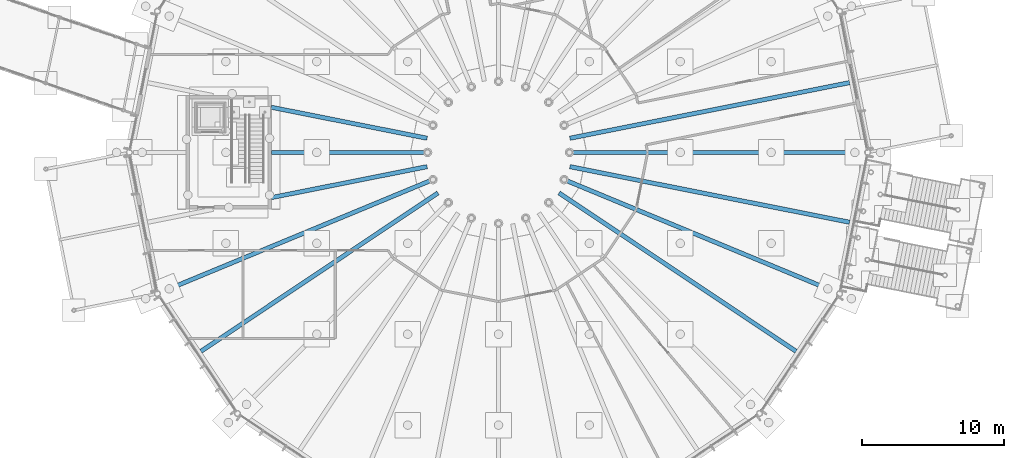
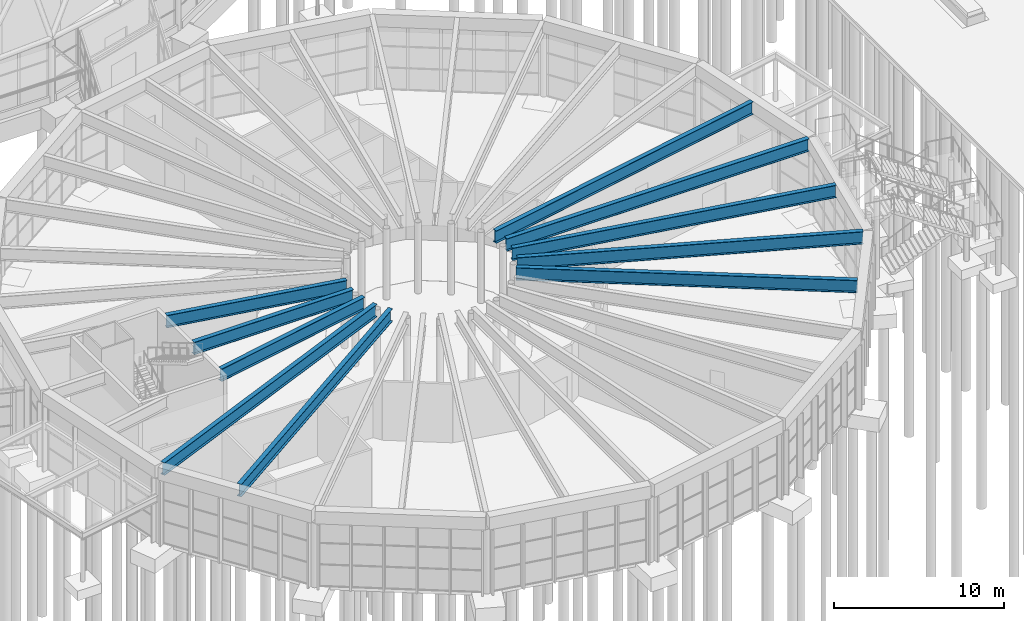
# One storey, part 91 of 226: 10 beams.
"""IFC4 building model written with IfcOpenShell, lengths in metres."""

from ifc_helpers import new_model, si_unit, direction, frame, origin, origin_2d, place, context, subcontext, project, spatial, i_section, extrude, material, material_profile, profile_set, type_object, element, save


model = new_model("IFC4")

# Units and contexts
model_context = context("Model", 3, precision=1e-05, world=origin(), true_north=direction((0.0, 1.0)))
body_context = subcontext(model_context, "Body", "Model", "MODEL_VIEW")
ifc_project = project(units=[si_unit("LENGTHUNIT", "METRE"), si_unit("AREAUNIT", "SQUARE_METRE"), si_unit("VOLUMEUNIT", "CUBIC_METRE"), si_unit("PLANEANGLEUNIT", "RADIAN"), si_unit("MASSUNIT", "GRAM", prefix="KILO")], contexts=[model_context])

# Site, building, storey
site_placement = place(None, origin())
site = spatial("IfcSite", under=ifc_project, at=site_placement, CompositionType="ELEMENT")
building_placement = place(site_placement, origin())
building = spatial("IfcBuilding", under=site, at=building_placement, Name="Ceibo Conservatory and Research Tower", CompositionType="ELEMENT")
storey_placement = place(building_placement, origin())
storey = spatial("IfcBuildingStorey", under=building, at=storey_placement, Name="L00", CompositionType="ELEMENT", Elevation=0.0)

# Beams
ifc_material = material(Name="Steel S355J2", Category="steel")
ifc_material_profile = material_profile(ifc_material, i_section(OverallWidth=0.300048828125, OverallDepth=0.89990234375, WebThickness=0.011962890625, FlangeThickness=0.02490234375, at=origin_2d()), Name="PG 900x300")
ifc_profile_set = profile_set([ifc_material_profile], Name="Steel S355J2")
beam_type = type_object("IfcBeamType", Name="pavilion radial roof beam PG 900x300", PredefinedType="BEAM", material=ifc_profile_set)
beam_1_placement = place(storey_placement, frame((173.1982421875, 36.0, 5.09912109375), z_axis=(1.0, 0.0, 0.0), x_axis=(0.0, 1.0, 0.0)))
element("IfcBeam", 1, at=beam_1_placement, inside=storey, type_object=beam_type, Name="Radial roof beam VC-RR01", PredefinedType="BEAM", context=body_context, shape_type="SweptSolid", body=[
    extrude(i_section(OverallWidth=0.300048828125, OverallDepth=0.89990234375, WebThickness=0.011962890625, FlangeThickness=0.02490234375, at=origin_2d()), origin(), (0.0, 0.0, 1.0), 20.5009765625),
])
beam_2_placement = place(storey_placement, frame((173.029052734375, 37.000244140625, 5.09912109375), z_axis=(0.980785449412, 0.195089472351, 0.0), x_axis=(-0.195089472351, 0.980785449412, 0.0)))
element("IfcBeam", 2, at=beam_2_placement, inside=storey, type_object=beam_type, Name="Radial roof beam VC-RR02", PredefinedType="BEAM", context=body_context, shape_type="SweptSolid", body=[
    extrude(i_section(OverallWidth=0.300048828125, OverallDepth=0.89990234375, WebThickness=0.011962890625, FlangeThickness=0.02490234375, at=origin_2d()), origin(), (0.0, 0.0, 1.0), 20.077880859375),
])
beam_3_placement = place(storey_placement, frame((162.970947265625, 37.000244140625, 5.09912109375), z_axis=(-0.980783206966, 0.195100745599, 0.0), x_axis=(-0.195100745599, -0.980783206966, 0.0)))
element("IfcBeam", 3, at=beam_3_placement, inside=storey, type_object=beam_type, Name="Radial roof beam VC-RR16", PredefinedType="BEAM", context=body_context, shape_type="SweptSolid", body=[
    extrude(i_section(OverallWidth=0.300048828125, OverallDepth=0.89990234375, WebThickness=0.011962890625, FlangeThickness=0.02490234375, at=origin_2d()), origin(), (0.0, 0.0, 1.0), 11.19091796875),
])
beam_4_placement = place(storey_placement, frame((162.8017578125, 36.0, 5.09912109375), z_axis=(-1.0, 0.0, 0.0), x_axis=(0.0, -1.0, 0.0)))
element("IfcBeam", 4, at=beam_4_placement, inside=storey, type_object=beam_type, Name="Radial roof beam VC-RR17", PredefinedType="BEAM", context=body_context, shape_type="SweptSolid", body=[
    extrude(i_section(OverallWidth=0.300048828125, OverallDepth=0.89990234375, WebThickness=0.011962890625, FlangeThickness=0.02490234375, at=origin_2d()), origin(), (0.0, 0.0, 1.0), 10.806640625),
])
beam_5_placement = place(storey_placement, frame((162.970947265625, 34.999755859375, 5.09912109375), z_axis=(-0.980783206966, -0.195100745599, 0.0), x_axis=(0.195100745599, -0.980783206966, 0.0)))
element("IfcBeam", 5, at=beam_5_placement, inside=storey, type_object=beam_type, Name="Radial roof beam VC-RR18", PredefinedType="BEAM", context=body_context, shape_type="SweptSolid", body=[
    extrude(i_section(OverallWidth=0.300048828125, OverallDepth=0.89990234375, WebThickness=0.011962890625, FlangeThickness=0.02490234375, at=origin_2d()), origin(), (0.0, 0.0, 1.0), 11.19091796875),
])
beam_6_placement = place(storey_placement, frame((163.197509765625, 34.0107421875, 5.09912109375), z_axis=(-0.923878219582, -0.38268660204, 0.0), x_axis=(0.38268660204, -0.923878219582, 0.0)))
element("IfcBeam", 6, at=beam_6_placement, inside=storey, type_object=beam_type, Name="Radial roof beam VC-RR19", PredefinedType="BEAM", context=body_context, shape_type="SweptSolid", body=[
    extrude(i_section(OverallWidth=0.300048828125, OverallDepth=0.89990234375, WebThickness=0.011962890625, FlangeThickness=0.02490234375, at=origin_2d()), origin(), (0.0, 0.0, 1.0), 20.5009765625),
])
for number, where, z_axis, x_axis, name in (
    (7, (163.736572265625, 33.1513671875, 5.09912109375), (-0.831466169506, -0.555575385494, 0.0), (0.555575385494, -0.831466169506, 0.0), "Radial roof beam VC-RR20"),
    (8, (172.263427734375, 33.1513671875, 5.09912109375), (0.831466169506, -0.555575385494, 0.0), (0.555575385494, 0.831466169506, 0.0), "Radial roof beam VC-RR30"),
):
    element("IfcBeam", number, at=place(storey_placement, frame(where, z_axis=z_axis, x_axis=x_axis)), inside=storey, type_object=beam_type, Name=name, PredefinedType="BEAM", context=body_context, shape_type="SweptSolid", body=[
        extrude(i_section(OverallWidth=0.300048828125, OverallDepth=0.89990234375, WebThickness=0.011962890625, FlangeThickness=0.02490234375, at=origin_2d()), origin(), (0.0, 0.0, 1.0), 20.077880859375),
    ])
beam_7_placement = place(storey_placement, frame((172.802490234375, 34.0107421875, 5.09912109375), z_axis=(0.923878219582, -0.38268660204, 0.0), x_axis=(0.38268660204, 0.923878219582, 0.0)))
element("IfcBeam", 9, at=beam_7_placement, inside=storey, type_object=beam_type, Name="Radial roof beam VC-RR31", PredefinedType="BEAM", context=body_context, shape_type="SweptSolid", body=[
    extrude(i_section(OverallWidth=0.300048828125, OverallDepth=0.89990234375, WebThickness=0.011962890625, FlangeThickness=0.02490234375, at=origin_2d()), origin(), (0.0, 0.0, 1.0), 20.5009765625),
])
beam_8_placement = place(storey_placement, frame((173.029052734375, 34.999755859375, 5.09912109375), z_axis=(0.980785449412, -0.195089472351, 0.0), x_axis=(0.195089472351, 0.980785449412, 0.0)))
element("IfcBeam", 10, at=beam_8_placement, inside=storey, type_object=beam_type, Name="Radial roof beam VC-RR32", PredefinedType="BEAM", context=body_context, shape_type="SweptSolid", body=[
    extrude(i_section(OverallWidth=0.300048828125, OverallDepth=0.89990234375, WebThickness=0.011962890625, FlangeThickness=0.02490234375, at=origin_2d()), origin(), (0.0, 0.0, 1.0), 20.077880859375),
])

save(model, "model.ifc")
